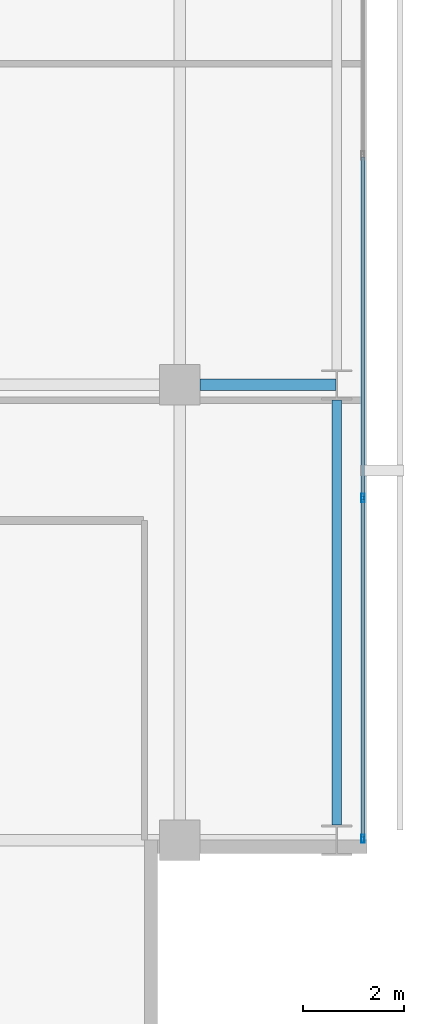
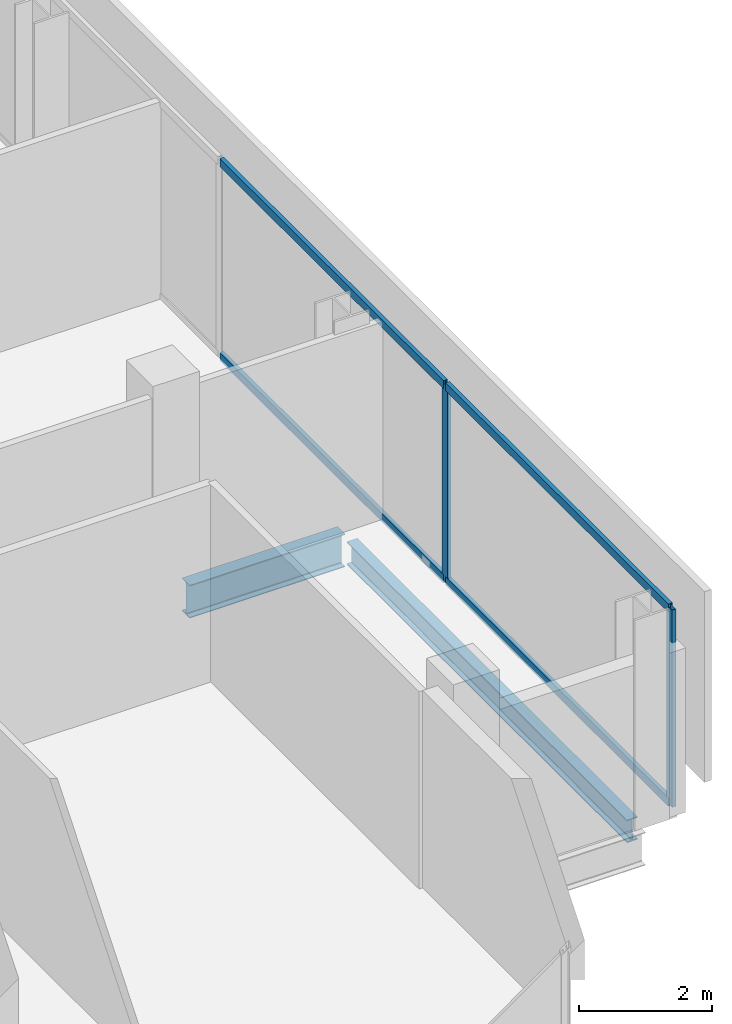
# One storey, part 15 of 32: 6 members, 2 beams, 1 element without a shape of its own.
"""IFC4 building model written with IfcOpenShell, lengths in metres."""

from ifc_helpers import new_model, si_unit, direction, frame, origin, origin_2d, place, context, subcontext, project, spatial, hollow_rectangle, i_section, extrude, material, layer, layer_set, material_profile, profile_set, type_object, element, aggregate, save


model = new_model("IFC4")

# Units and contexts
model_context = context("Model", 3, precision=1e-05, world=origin(), true_north=direction((0.0, 1.0)))
body_context = subcontext(model_context, "Body", "Model", "MODEL_VIEW")
ifc_project = project(units=[si_unit("LENGTHUNIT", "METRE"), si_unit("AREAUNIT", "SQUARE_METRE"), si_unit("VOLUMEUNIT", "CUBIC_METRE"), si_unit("PLANEANGLEUNIT", "RADIAN"), si_unit("MASSUNIT", "GRAM", prefix="KILO")], contexts=[model_context])

# Site, building, storey
site_placement = place(None, origin())
site = spatial("IfcSite", under=ifc_project, at=site_placement, CompositionType="ELEMENT")
building_placement = place(site_placement, origin())
building = spatial("IfcBuilding", under=site, at=building_placement, Name="Maruvema Waterfront Hotel and Observation Tower", CompositionType="ELEMENT")
storey_placement = place(building_placement, frame((0.0, 0.0, 165.89990234375)))
storey = spatial("IfcBuildingStorey", under=building, at=storey_placement, Name="L40", CompositionType="ELEMENT", Elevation=165.89990234375)

# Curtain wall, members
ifc_material_1 = material(Name="Anodised bronze aluminium and solar-control low-E IGU", Category="aluminium")
ifc_layer = layer(ifc_material_1, 0.159912109375, Name="Zone 2 Amber Inner Thermal Curtain Wall System CW-03")
ifc_layer_set = layer_set([ifc_layer], Name="Anodised bronze aluminium and solar-control low-E IGU")
curtain_wall_type = type_object("IfcCurtainWallType", Name="Zone 2 Amber Inner Thermal Curtain Wall System CW-03", PredefinedType="USERDEFINED", material=ifc_layer_set)
curtain_wall_placement = place(storey_placement, origin())
curtain_wall = element("IfcCurtainWall", 1, at=curtain_wall_placement, inside=storey, type_object=curtain_wall_type, Name="L40 Curtain Wall CW-L40-E", ObjectType="UNITISED CURTAIN WALL", PredefinedType="USERDEFINED")
ifc_material_2 = material(Name="Anodised architectural bronze aluminium", Category="aluminium")
ifc_material_profile_1 = material_profile(ifc_material_2, hollow_rectangle(XDim=0.070068359375, YDim=0.14990234375, WallThickness=0.00390625, at=origin_2d()), Name="ALU-T70x150")
ifc_profile_set_1 = profile_set([ifc_material_profile_1], Name="Anodised architectural bronze aluminium")
member_type_1 = type_object("IfcMemberType", Name="Curtain Wall Horizontal Transom ALU-T70x150", PredefinedType="USERDEFINED", material=ifc_profile_set_1)
member_1_placement = place(storey_placement, frame((62.419921875, 9.06005859375, 0.030029296875), z_axis=(0.0, 1.0, 0.0), x_axis=(-1.0, 0.0, 0.0)))
member_1 = element("IfcMember", 2, at=member_1_placement, type_object=member_type_1, Name="CW-03 transom 1.1", ObjectType="TRANSOM", PredefinedType="USERDEFINED", context=body_context, shape_type="SweptSolid", body=[
    extrude(hollow_rectangle(XDim=0.070068359375, YDim=0.14990234375, WallThickness=0.00390625, at=origin_2d()), origin(), (0.0, 0.0, 1.0), 6.676513671875),
])
member_2_placement = place(storey_placement, frame((62.419921875, 9.06005859375, 3.580078125), z_axis=(0.0, 1.0, 0.0), x_axis=(-1.0, 0.0, 0.0)))
member_2 = element("IfcMember", 3, at=member_2_placement, type_object=member_type_1, Name="CW-03 transom 1.2", ObjectType="TRANSOM", PredefinedType="USERDEFINED", context=body_context, shape_type="SweptSolid", body=[
    extrude(hollow_rectangle(XDim=0.070068359375, YDim=0.14990234375, WallThickness=0.00390625, at=origin_2d()), origin(), (0.0, 0.0, 1.0), 6.676513671875),
])
member_3_placement = place(storey_placement, frame((62.419921875, 15.796630859375, 0.030029296875), z_axis=(0.0, 1.0, 0.0), x_axis=(-1.0, 0.0, 0.0)))
member_3 = element("IfcMember", 4, at=member_3_placement, type_object=member_type_1, Name="CW-03 transom 2.1", ObjectType="TRANSOM", PredefinedType="USERDEFINED", context=body_context, shape_type="SweptSolid", body=[
    extrude(hollow_rectangle(XDim=0.070068359375, YDim=0.14990234375, WallThickness=0.00390625, at=origin_2d()), origin(), (0.0, 0.0, 1.0), 6.706787109375),
])
member_4_placement = place(storey_placement, frame((62.419921875, 15.796630859375, 3.580078125), z_axis=(0.0, 1.0, 0.0), x_axis=(-1.0, 0.0, 0.0)))
member_4 = element("IfcMember", 5, at=member_4_placement, type_object=member_type_1, Name="CW-03 transom 2.2", ObjectType="TRANSOM", PredefinedType="USERDEFINED", context=body_context, shape_type="SweptSolid", body=[
    extrude(hollow_rectangle(XDim=0.070068359375, YDim=0.14990234375, WallThickness=0.00390625, at=origin_2d()), origin(), (0.0, 0.0, 1.0), 6.706787109375),
])
ifc_material_3 = material(Name="Anodised architectural bronze aluminium", Category="aluminium")
ifc_material_profile_2 = material_profile(ifc_material_3, hollow_rectangle(XDim=0.06494140625, YDim=0.1650390625, WallThickness=0.00390625, at=origin_2d()), Name="ALU-M65x165")
ifc_profile_set_2 = profile_set([ifc_material_profile_2], Name="Anodised architectural bronze aluminium")
member_type_2 = type_object("IfcMemberType", Name="Curtain Wall Primary Mullion ALU-M65x165", PredefinedType="MULLION", material=ifc_profile_set_2)
member_5_placement = place(storey_placement, frame((62.419921875, 9.030029296875, 0.0), z_axis=(0.0, 0.0, 1.0), x_axis=(-1.0, 0.0, 0.0)))
member_5 = element("IfcMember", 6, at=member_5_placement, type_object=member_type_2, Name="CW-03 mullion 1", PredefinedType="MULLION", context=body_context, shape_type="SweptSolid", body=[
    extrude(hollow_rectangle(XDim=0.06494140625, YDim=0.1650390625, WallThickness=0.00390625, at=origin_2d()), origin(), (0.0, 0.0, 1.0), 3.610107421875),
])
member_6_placement = place(storey_placement, frame((62.419921875, 15.7666015625, 0.0), z_axis=(0.0, 0.0, 1.0), x_axis=(-1.0, 0.0, 0.0)))
member_6 = element("IfcMember", 7, at=member_6_placement, type_object=member_type_2, Name="CW-03 mullion 2", PredefinedType="MULLION", context=body_context, shape_type="SweptSolid", body=[
    extrude(hollow_rectangle(XDim=0.06494140625, YDim=0.1650390625, WallThickness=0.00390625, at=origin_2d()), origin(), (0.0, 0.0, 1.0), 3.610107421875),
])
aggregate(curtain_wall, [member_5, member_6, member_1, member_2, member_3, member_4])

# Beams
ifc_material_4 = material(Name="Steel ASTM A572 Grade 50", Category="steel")
ifc_material_profile_3 = material_profile(ifc_material_4, i_section(OverallWidth=0.180908203125, OverallDepth=0.4169921875, WebThickness=0.010986328125, FlangeThickness=0.018310546875, FilletRadius=0.014892578125, at=origin_2d()), Name="W410x85.0")
ifc_profile_set_3 = profile_set([ifc_material_profile_3], Name="Steel ASTM A572 Grade 50")
beam_type_1 = type_object("IfcBeamType", Name="Perimeter Spandrel Beam W410x85.0", PredefinedType="SPANDREL", material=ifc_profile_set_3)
beam_1_placement = place(storey_placement, frame((61.89990234375, 9.300048828125, -0.448486328125), z_axis=(0.0, 1.0, 0.0), x_axis=(-1.0, 0.0, 0.0)))
element("IfcBeam", 8, at=beam_1_placement, inside=storey, type_object=beam_type_1, Name="L40 Floor Girder NS-29", PredefinedType="SPANDREL", context=body_context, shape_type="SweptSolid", body=[
    extrude(i_section(OverallWidth=0.180908203125, OverallDepth=0.4169921875, WebThickness=0.010986328125, FlangeThickness=0.018310546875, FilletRadius=0.014892578125, at=origin_2d()), origin(), (0.0, 0.0, 1.0), 8.39990234375),
])
ifc_material_5 = material(Name="Steel ASTM A572 Grade 50", Category="steel")
ifc_material_profile_4 = material_profile(ifc_material_5, i_section(OverallWidth=0.22802734375, OverallDepth=0.60302734375, WebThickness=0.010498046875, FlangeThickness=0.014892578125, FilletRadius=0.01806640625, at=origin_2d()), Name="W610x101.0")
ifc_profile_set_4 = profile_set([ifc_material_profile_4], Name="Steel ASTM A572 Grade 50")
beam_type_2 = type_object("IfcBeamType", Name="Primary Floor Girder W610x101.0", PredefinedType="BEAM", material=ifc_profile_set_4)
beam_2_placement = place(storey_placement, frame((59.199951171875, 18.0, -0.54150390625), z_axis=(1.0, 0.0, 0.0), x_axis=(0.0, 1.0, 0.0)))
element("IfcBeam", 9, at=beam_2_placement, inside=storey, type_object=beam_type_2, Name="L40 Floor Girder EW-17", PredefinedType="BEAM", context=body_context, shape_type="SweptSolid", body=[
    extrude(i_section(OverallWidth=0.22802734375, OverallDepth=0.60302734375, WebThickness=0.010498046875, FlangeThickness=0.014892578125, FilletRadius=0.01806640625, at=origin_2d()), origin(), (0.0, 0.0, 1.0), 2.6875),
])

save(model, "model.ifc")
